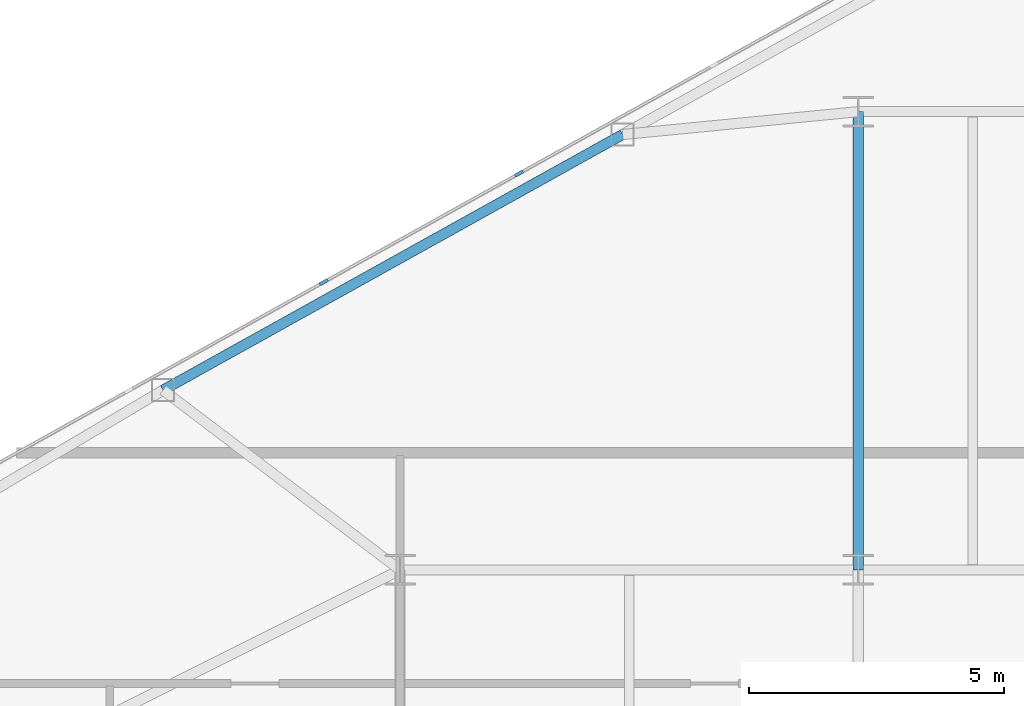
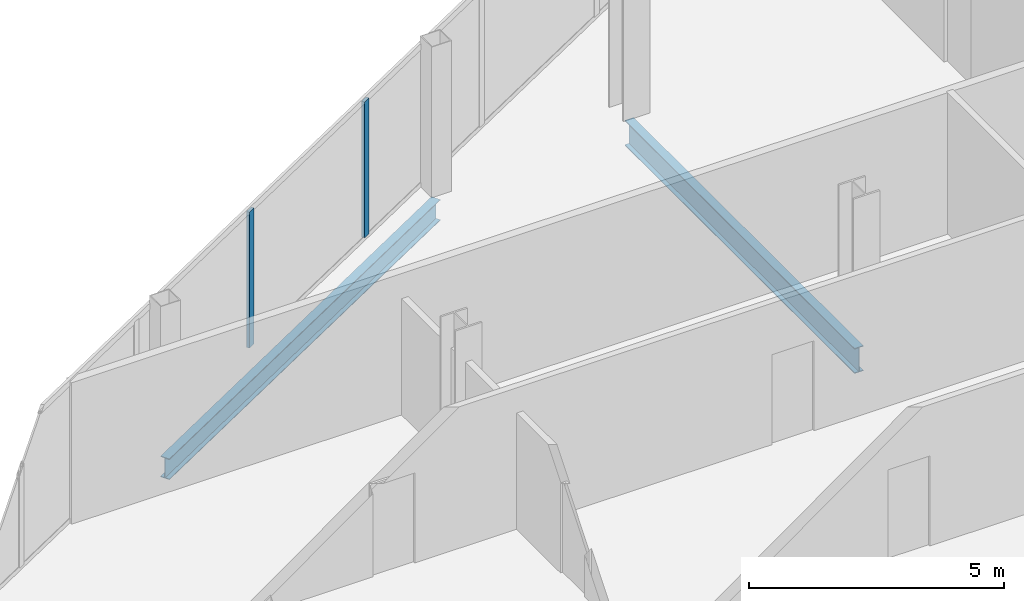
# One storey, part 8 of 25: 2 beams, 2 members, 1 element without a shape of its own.
"""IFC4 building model written with IfcOpenShell, lengths in metres."""

import ifcopenshell
import ifcopenshell.guid

model = None  # the IFC model being written
_history = None  # IfcOwnerHistory: only IFC2X3 demands one
_inside = {}  # id of a spatial element -> (the spatial element, [elements in it])
_under = {}  # id of a project, library or spatial element -> (it, [spatial elements below it])
_declared = {}  # id of a project -> (the project, [libraries it declares])
_typed = {}  # id of a type object -> (the type object, [elements of that type])
_made_of = {}  # id of a material, layer set ... -> (it, [elements and type objects made of it])


def new_model(schema):
    """Start an empty IFC model of exactly this schema.

    Asked for "IFC4X3", IfcOpenShell would pick the latest addendum, in which some entities
    have other attributes; the version numbers below select the first issue.
    IFC2X3 requires an IfcOwnerHistory on every rooted entity: one is made here for all.
    """
    global model, _history
    if schema == "IFC4X3":
        model = ifcopenshell.file(schema_version=(4, 3, 0, 0))
    else:
        model = ifcopenshell.file(schema=schema)
    _inside.clear()
    _under.clear()
    _declared.clear()
    _typed.clear()
    _made_of.clear()
    _history = None
    if model.schema == "IFC2X3":
        org = make("IfcOrganization", Name="unknown")
        user = make(
            "IfcPersonAndOrganization",
            ThePerson=make("IfcPerson", FamilyName="unknown"),
            TheOrganization=org,
        )
        app = make(
            "IfcApplication",
            ApplicationDeveloper=org,
            Version="unknown",
            ApplicationFullName="unknown",
            ApplicationIdentifier="unknown",
        )
        _history = make(
            "IfcOwnerHistory",
            OwningUser=user,
            OwningApplication=app,
            ChangeAction="ADDED",
            CreationDate=0,
        )
    return model


def make(cls, **values):
    """One entity of the class cls with the attributes given. An attribute that is None is left unset."""
    return model.create_entity(
        cls, **{name: value for name, value in values.items() if value is not None}
    )


def rooted(cls, **values):
    """An entity with a GlobalId (a new one), such as an element, a storey or a relation."""
    return make(cls, GlobalId=ifcopenshell.guid.new(), OwnerHistory=_history, **values)


def si_unit(unit_type, name, prefix=None):
    """IfcSIUnit, for example si_unit("LENGTHUNIT", "METRE", prefix="MILLI")."""
    return make("IfcSIUnit", UnitType=unit_type, Prefix=prefix, Name=name)


def assignment(units):
    """IfcUnitAssignment: the units of a project."""
    return None if units is None else make("IfcUnitAssignment", Units=units)


def point(xyz):
    """IfcCartesianPoint."""
    return None if xyz is None else make("IfcCartesianPoint", Coordinates=xyz)


def direction(xyz):
    """IfcDirection."""
    return None if xyz is None else make("IfcDirection", DirectionRatios=xyz)


def frame(location, z_axis=None, x_axis=None):
    """IfcAxis2Placement3D, a coordinate frame: its origin and axes. An axis left out is left unset."""
    return make(
        "IfcAxis2Placement3D",
        Location=point(location),
        Axis=direction(z_axis),
        RefDirection=direction(x_axis),
    )


def frame_2d(location, x_axis=None):
    """IfcAxis2Placement2D, a coordinate frame in the plane: its origin and x axis."""
    return make(
        "IfcAxis2Placement2D", Location=point(location), RefDirection=direction(x_axis)
    )


def origin():
    """The frame at (0, 0, 0) with its axes left unset."""
    return frame((0.0, 0.0, 0.0))


def origin_2d():
    """The frame at (0, 0) in the plane with its x axis left unset."""
    return frame_2d((0.0, 0.0))


def place(relative_to, where):
    """IfcLocalPlacement: puts the frame where relative to a parent placement (None: the world)."""
    return make(
        "IfcLocalPlacement", PlacementRelTo=relative_to, RelativePlacement=where
    )


def context(
    kind, dimensions, precision=None, world=None, true_north=None, identifier=None
):
    """IfcGeometricRepresentationContext, for example the 3D "Model" context."""
    return make(
        "IfcGeometricRepresentationContext",
        ContextIdentifier=identifier,
        ContextType=kind,
        CoordinateSpaceDimension=dimensions,
        Precision=precision,
        WorldCoordinateSystem=world,
        TrueNorth=true_north,
    )


def subcontext(parent, identifier, kind, view, scale=None):
    """IfcGeometricRepresentationSubContext, for example "Body" below "Model"."""
    return make(
        "IfcGeometricRepresentationSubContext",
        ContextIdentifier=identifier,
        ContextType=kind,
        ParentContext=parent,
        TargetScale=scale,
        TargetView=view,
    )


def project(units=None, contexts=None):
    """IfcProject with its units and contexts."""
    return rooted(
        "IfcProject",
        Name="project",
        RepresentationContexts=contexts,
        UnitsInContext=assignment(units),
    )


def spatial(cls, under=None, at=None, **own):
    """A site, building, storey or space (cls), placed at a placement, below another one or the project."""
    s = rooted(cls, ObjectPlacement=at, **own)
    if under is not None:
        _under.setdefault(under.id(), (under, []))[1].append(s)
    return s


def profile(cls, at=None, kind="AREA", **sizes):
    """A parametric profile (cls). Its sizes go by their IFC names, for example OverallWidth=200.0."""
    return make(cls, ProfileType=kind, Position=at, **sizes)


def rectangle(**sizes):
    """IfcRectangleProfileDef."""
    return profile("IfcRectangleProfileDef", **sizes)


def i_section(**sizes):
    """IfcIShapeProfileDef."""
    return profile("IfcIShapeProfileDef", **sizes)


def extrude(swept, where, along, depth):
    """IfcExtrudedAreaSolid: the profile swept, set in the frame where, extruded along a direction by depth."""
    return make(
        "IfcExtrudedAreaSolid",
        SweptArea=swept,
        Position=where,
        ExtrudedDirection=direction(along),
        Depth=depth,
    )


def shape(context_of_items, identifier, shape_type, items):
    """IfcShapeRepresentation: the items that make up one representation, for example the "Body"."""
    return make(
        "IfcShapeRepresentation",
        ContextOfItems=context_of_items,
        RepresentationIdentifier=identifier,
        RepresentationType=shape_type,
        Items=items,
    )


def source(mapping_origin, context_of_items, identifier, shape_type, items):
    """IfcRepresentationMap: a shape defined once, which mapped items show again and again."""
    return make(
        "IfcRepresentationMap",
        MappingOrigin=mapping_origin,
        MappedRepresentation=shape(context_of_items, identifier, shape_type, items),
    )


def transform(
    local_origin,
    x_axis=None,
    y_axis=None,
    z_axis=None,
    scale=None,
    scale2=None,
    scale3=None,
    uniform=True,
):
    """IfcCartesianTransformationOperator3D, or its non-uniform kind. x_axis, y_axis, z_axis: its Axis1, 2, 3."""
    if uniform:
        return make(
            "IfcCartesianTransformationOperator3D",
            Axis1=direction(x_axis),
            Axis2=direction(y_axis),
            LocalOrigin=point(local_origin),
            Scale=scale,
            Axis3=direction(z_axis),
        )
    return make(
        "IfcCartesianTransformationOperator3DnonUniform",
        Axis1=direction(x_axis),
        Axis2=direction(y_axis),
        LocalOrigin=point(local_origin),
        Scale=scale,
        Axis3=direction(z_axis),
        Scale2=scale2,
        Scale3=scale3,
    )


def mapped(mapping_source, mapping_target):
    """IfcMappedItem: shows the shape of a source again, moved by a transform."""
    return make(
        "IfcMappedItem", MappingSource=mapping_source, MappingTarget=mapping_target
    )


def material(Name=None, Category=None):
    """IfcMaterial."""
    return make("IfcMaterial", Name=Name, Category=Category)


def layer(
    of_material, thickness, ventilated=None, Name=None, Category=None, Priority=None
):
    """IfcMaterialLayer: one layer of a wall or slab, of a material (None: an air gap)."""
    return make(
        "IfcMaterialLayer",
        Material=of_material,
        LayerThickness=thickness,
        IsVentilated=ventilated,
        Name=Name,
        Category=Category,
        Priority=Priority,
    )


def layer_set(layers, Name=None):
    """IfcMaterialLayerSet."""
    return make("IfcMaterialLayerSet", MaterialLayers=layers, LayerSetName=Name)


def material_profile(
    of_material, cross_section, Name=None, Category=None, Priority=None
):
    """IfcMaterialProfile: a cross section and its material."""
    return make(
        "IfcMaterialProfile",
        Name=Name,
        Material=of_material,
        Profile=cross_section,
        Priority=Priority,
        Category=Category,
    )


def profile_set(profiles, Name=None, composite=None):
    """IfcMaterialProfileSet."""
    return make(
        "IfcMaterialProfileSet",
        Name=Name,
        MaterialProfiles=profiles,
        CompositeProfile=composite,
    )


def made_of(thing, what):
    """Note that an element or type object is made of a material, layer set ...; save() writes the relation."""
    if what is not None:
        _made_of.setdefault(what.id(), (what, []))[1].append(thing)
    return thing


def type_object(cls, material=None, **own):
    """A type object (cls), such as IfcWallType, which elements share."""
    return made_of(rooted(cls, **own), material)


def type_shapes(of_type, sources):
    """Give a type object the sources (RepresentationMaps) that its elements show as mapped items."""
    of_type.RepresentationMaps = sources


def element(
    cls,
    number,
    at=None,
    inside=None,
    cuts=None,
    type_object=None,
    material=None,
    context=None,
    identifier="Body",
    shape_type=None,
    held_by="IfcProductDefinitionShape",
    body=None,
    shapes=None,
    **own,
):
    """One element of the class cls, such as IfcWall. Its Tag is "e" and its number.

    at: its placement. inside: the storey or other place that contains it. cuts: it is an
    opening in that element (IfcRelVoidsElement). A single representation is given by context,
    identifier, shape_type and body (its items); several are given by shapes. held_by: the class
    of the entity that holds the representations. save() writes the other relations.
    """
    e = rooted(cls, Tag="e%d" % number, ObjectPlacement=at, **own)
    if body is not None:
        shapes = [shape(context, identifier, shape_type, body)]
    if shapes is not None:
        e.Representation = make(held_by, Representations=shapes)
    if inside is not None:
        _inside.setdefault(inside.id(), (inside, []))[1].append(e)
    if cuts is not None:
        rooted(
            "IfcRelVoidsElement", RelatingBuildingElement=cuts, RelatedOpeningElement=e
        )
    if type_object is not None:
        _typed.setdefault(type_object.id(), (type_object, []))[1].append(e)
    return made_of(e, material)


def aggregate(whole, parts):
    """IfcRelAggregates: a whole, such as a stair, and the parts it consists of."""
    return rooted("IfcRelAggregates", RelatingObject=whole, RelatedObjects=parts)


def save(model, path):
    """Write the relations noted so far, then the file.

    IfcRelAggregates (storeys below a building ...), IfcRelContainedInSpatialStructure (elements
    in a storey), IfcRelDefinesByType, IfcRelAssociatesMaterial and IfcRelDeclares: one each for
    every whole, place, type object, material and project.
    """
    for whole, parts in _under.values():
        aggregate(whole, parts)
    for where, things in _inside.values():
        rooted(
            "IfcRelContainedInSpatialStructure",
            RelatedElements=things,
            RelatingStructure=where,
        )
    for kind, things in _typed.values():
        rooted("IfcRelDefinesByType", RelatedObjects=things, RelatingType=kind)
    for what, things in _made_of.values():
        rooted("IfcRelAssociatesMaterial", RelatedObjects=things, RelatingMaterial=what)
    for by, libraries in _declared.values():
        rooted("IfcRelDeclares", RelatingContext=by, RelatedDefinitions=libraries)
    model.write(path)


model = new_model("IFC4")

# Units and contexts
model_context = context("Model", 3, precision=1e-05, world=origin(), true_north=direction((0.0, 1.0)))
body_context = subcontext(model_context, "Body", "Model", "MODEL_VIEW")
ifc_project = project(units=[si_unit("LENGTHUNIT", "METRE"), si_unit("AREAUNIT", "SQUARE_METRE"), si_unit("VOLUMEUNIT", "CUBIC_METRE"), si_unit("PLANEANGLEUNIT", "RADIAN"), si_unit("MASSUNIT", "GRAM", prefix="KILO")], contexts=[model_context])

# Site, building, storey
site_placement = place(None, origin())
site = spatial("IfcSite", under=ifc_project, at=site_placement, CompositionType="ELEMENT")
building_placement = place(site_placement, origin())
building = spatial("IfcBuilding", under=site, at=building_placement, Name="Seokmaru Belvedere", CompositionType="ELEMENT")
storey_placement = place(building_placement, frame((0.0, 0.0, 185.10009765625)))
storey = spatial("IfcBuildingStorey", under=building, at=storey_placement, Name="L49", CompositionType="ELEMENT", Elevation=185.10009765625)

# Beams
ifc_material_1 = material(Name="Steel SM355 (355 MPa)", Category="steel")
ifc_material_profile_1 = material_profile(ifc_material_1, i_section(OverallWidth=0.199951171875, OverallDepth=0.60009765625, WebThickness=0.010986328125, FlangeThickness=0.01708984375, at=origin_2d()), Name="H-600x200x11x17")
ifc_profile_set_1 = profile_set([ifc_material_profile_1], Name="Steel SM355 (355 MPa)")
beam_type_1 = type_object("IfcBeamType", Name="Primary Floor Girder H-600", PredefinedType="BEAM", material=ifc_profile_set_1)
shared_shape_1 = source(origin(), body_context, "Body", "SweptSolid", [
    extrude(i_section(OverallWidth=0.199951171875, OverallDepth=0.60009765625, WebThickness=0.010986328125, FlangeThickness=0.01708984375, at=origin_2d()), origin(), (0.0, 0.0, 1.0), 9.0),
])
type_shapes(beam_type_1, [shared_shape_1])
beam_1_placement = place(storey_placement, frame((-45.5, 4.5, -0.52001953125), z_axis=(0.0, 1.0, 0.0), x_axis=(-1.0, 0.0, 0.0)))
element("IfcBeam", 1, at=beam_1_placement, inside=storey, type_object=beam_type_1, Name="L49 W Interior Grid Girder 3", PredefinedType="BEAM", context=body_context, shape_type="MappedRepresentation", body=[
    mapped(shared_shape_1, transform((0.0, 0.0, 0.0), scale=1.0)),
])
ifc_material_profile_2 = material_profile(ifc_material_1, i_section(OverallWidth=0.199951171875, OverallDepth=0.5, WebThickness=0.010009765625, FlangeThickness=0.01611328125, at=origin_2d()), Name="H-500x200x10x16")
ifc_profile_set_2 = profile_set([ifc_material_profile_2], Name="Steel SM355 (355 MPa)")
beam_type_2 = type_object("IfcBeamType", Name="Perimeter Spandrel Beam H-500", PredefinedType="SPANDREL", material=ifc_profile_set_2)
shared_shape_2 = source(origin(), body_context, "Body", "SweptSolid", [
    extrude(i_section(OverallWidth=0.199951171875, OverallDepth=0.5, WebThickness=0.010009765625, FlangeThickness=0.01611328125, at=origin_2d()), origin(), (0.0, 0.0, 1.0), 10.327392578125),
])
type_shapes(beam_type_2, [shared_shape_2])
beam_2_placement = place(storey_placement, frame((-50.129150390625, 13.051025390625, -0.47021484375), z_axis=(-0.873934162361, -0.48604431882, 0.0), x_axis=(0.48604431882, -0.873934162361, 0.0)))
element("IfcBeam", 2, at=beam_2_placement, inside=storey, type_object=beam_type_2, Name="L49 W Faceted Flank Spandrel N-3", PredefinedType="SPANDREL", context=body_context, shape_type="MappedRepresentation", body=[
    mapped(shared_shape_2, transform((0.0, 0.0, 0.0), scale=1.0)),
])

# Curtain wall, members
ifc_material_2 = material(Name="Bronze Triple Insulating Glass", Category="glass")
ifc_layer = layer(ifc_material_2, 0.179931640625)
ifc_layer_set = layer_set([ifc_layer], Name="Bronze Triple Insulating Glass")
curtain_wall_type = type_object("IfcCurtainWallType", Name="High-Rise Wind-Corner Curtain Wall System CW-5", PredefinedType="NOTDEFINED", material=ifc_layer_set)
curtain_wall_placement = place(storey_placement, origin())
curtain_wall = element("IfcCurtainWall", 3, at=curtain_wall_placement, inside=storey, type_object=curtain_wall_type, Name="L49 Curtain Wall WF3", PredefinedType="NOTDEFINED")
ifc_material_3 = material(Name="Anodised Bronze Aluminium", Category="aluminium")
ifc_material_profile_3 = material_profile(ifc_material_3, rectangle(XDim=0.06494140625, YDim=0.179931640625, at=origin_2d()), Name="CW-M-65x180")
ifc_profile_set_3 = profile_set([ifc_material_profile_3], Name="Anodised Bronze Aluminium")
member_type = type_object("IfcMemberType", Name="Bronze Unitised Mullion 65x180", PredefinedType="MULLION", material=ifc_profile_set_3)
shared_shape_3 = source(origin(), body_context, "Body", "SweptSolid", [
    extrude(rectangle(XDim=0.06494140625, YDim=0.179931640625, at=origin_2d()), origin(), (0.0, 0.0, 1.0), 3.25),
])
type_shapes(member_type, [shared_shape_3])
member_1_placement = place(storey_placement, frame((-52.166015625, 12.2841796875, 0.06494140625), z_axis=(0.0, 0.0, 1.0), x_axis=(0.486047125147, -0.873932601598, 0.0)))
member_1 = element("IfcMember", 4, at=member_1_placement, type_object=member_type, Name="CW:L49:WF3 Mullion 6", PredefinedType="MULLION", context=body_context, shape_type="MappedRepresentation", body=[
    mapped(shared_shape_3, transform((0.0, 0.0, 0.0), scale=1.0)),
])
member_2_placement = place(storey_placement, frame((-55.998291015625, 10.153076171875, 0.06494140625), z_axis=(0.0, 0.0, 1.0), x_axis=(0.486047125147, -0.873932601598, 0.0)))
member_2 = element("IfcMember", 5, at=member_2_placement, type_object=member_type, Name="CW:L49:WF3 Mullion 7", PredefinedType="MULLION", context=body_context, shape_type="MappedRepresentation", body=[
    mapped(shared_shape_3, transform((0.0, 0.0, 0.0), scale=1.0)),
])
aggregate(curtain_wall, [member_1, member_2])

save(model, "model.ifc")
